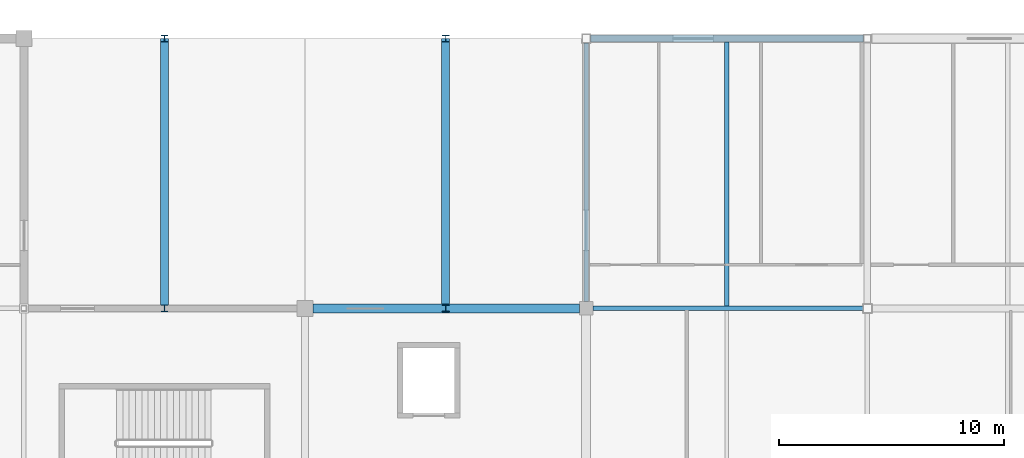
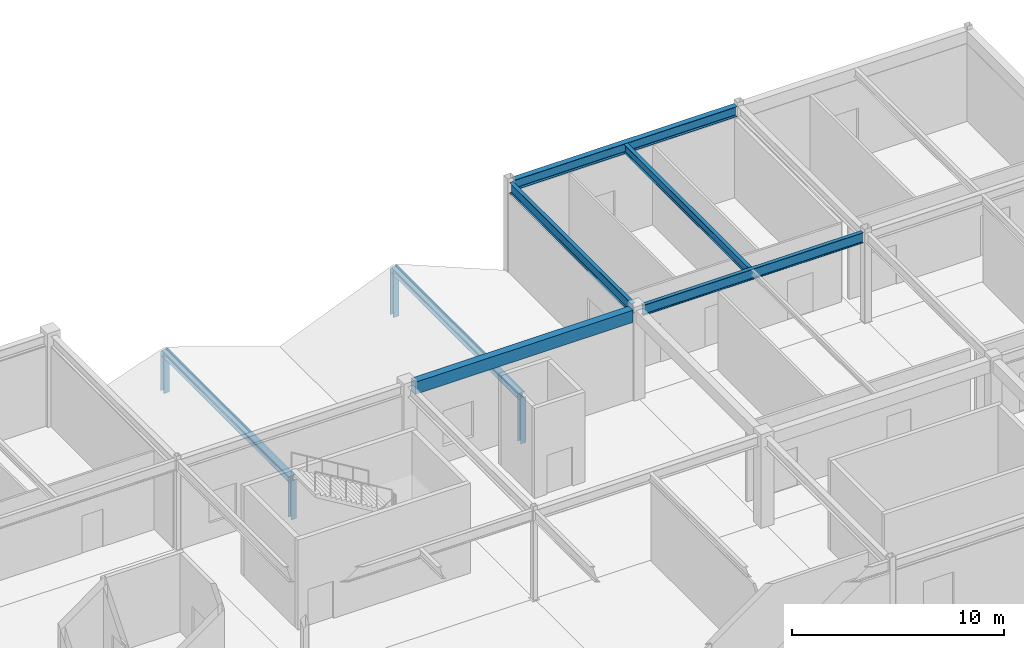
# One storey, part 56 of 105: 6 members, 5 beams.
"""IFC4 building model written with IfcOpenShell, lengths in metres."""

from ifc_helpers import new_model, si_unit, direction, frame, origin, origin_2d, place, context, subcontext, project, spatial, rectangle, i_section, extrude, material, material_profile, profile_set, type_object, element, save


model = new_model("IFC4")

# Units and contexts
model_context = context("Model", 3, precision=1e-05, world=origin(), true_north=direction((0.0, 1.0)))
body_context = subcontext(model_context, "Body", "Model", "MODEL_VIEW")
ifc_project = project(units=[si_unit("LENGTHUNIT", "METRE"), si_unit("AREAUNIT", "SQUARE_METRE"), si_unit("VOLUMEUNIT", "CUBIC_METRE"), si_unit("PLANEANGLEUNIT", "RADIAN"), si_unit("MASSUNIT", "GRAM", prefix="KILO")], contexts=[model_context])

# Site, building, storey
site_placement = place(None, origin())
site = spatial("IfcSite", under=ifc_project, at=site_placement, CompositionType="ELEMENT")
building_placement = place(site_placement, origin())
building = spatial("IfcBuilding", under=site, at=building_placement, Name="Kazenohara Klinker Stadium", CompositionType="ELEMENT")
storey_placement = place(building_placement, frame((0.0, 0.0, 20.39990234375)))
storey = spatial("IfcBuildingStorey", under=building, at=storey_placement, Name="L04", CompositionType="ELEMENT", Elevation=20.39990234375)

# Beams
ifc_material_1 = material(Name="Steel S355", Category="steel")
ifc_material_profile_1 = material_profile(ifc_material_1, i_section(OverallWidth=0.199951171875, OverallDepth=0.5, WebThickness=0.010009765625, FlangeThickness=0.01611328125, FilletRadius=0.012939453125, at=origin_2d()), Name="H-500x200x10x16")
ifc_profile_set_1 = profile_set([ifc_material_profile_1], Name="Steel S355")
beam_type_1 = type_object("IfcBeamType", Name="BM-JST01", PredefinedType="JOIST", material=ifc_profile_set_1)
beam_1_placement = place(storey_placement, frame((156.25, 156.10009765625, 4.93017578125), z_axis=(0.0, 1.0, 0.0), x_axis=(-1.0, 0.0, 0.0)))
element("IfcBeam", 1, at=beam_1_placement, inside=storey, type_object=beam_type_1, Name="Secondary floor joist SJ01 L04 13/P", PredefinedType="JOIST", context=body_context, shape_type="SweptSolid", body=[
    extrude(i_section(OverallWidth=0.199951171875, OverallDepth=0.5, WebThickness=0.010009765625, FlangeThickness=0.01611328125, FilletRadius=0.012939453125, at=origin_2d()), origin(), (0.0, 0.0, 1.0), 11.75),
])
ifc_material_2 = material(Name="Concrete C40/50", Category="concrete")
ifc_material_profile_2 = material_profile(ifc_material_2, rectangle(XDim=0.39990234375, YDim=0.699951171875, at=origin_2d()), Name="RC-BM-400x700")
ifc_profile_set_2 = profile_set([ifc_material_profile_2], Name="Concrete C40/50")
beam_type_2 = type_object("IfcBeamType", Name="BM-RC04", PredefinedType="BEAM", material=ifc_profile_set_2)
beam_2_placement = place(storey_placement, frame((137.85009765625, 156.0, 4.830078125), z_axis=(1.0, 0.0, 0.0), x_axis=(0.0, 1.0, 0.0)))
element("IfcBeam", 2, at=beam_2_placement, inside=storey, type_object=beam_type_2, Name="Primary girder BG04 L04 12-13/P", PredefinedType="BEAM", context=body_context, shape_type="SweptSolid", body=[
    extrude(rectangle(XDim=0.39990234375, YDim=0.699951171875, at=origin_2d()), origin(), (0.0, 0.0, 1.0), 11.849853515625),
])
ifc_material_profile_3 = material_profile(ifc_material_1, i_section(OverallWidth=0.199951171875, OverallDepth=0.60009765625, WebThickness=0.010986328125, FlangeThickness=0.01708984375, FilletRadius=0.012939453125, at=origin_2d()), Name="H-600x200x11x17")
ifc_profile_set_3 = profile_set([ifc_material_profile_3], Name="Steel S355")
beam_type_3 = type_object("IfcBeamType", Name="BM-ST04", PredefinedType="BEAM", material=ifc_profile_set_3)
beam_3_placement = place(storey_placement, frame((150.300048828125, 156.0, 4.880126953125), z_axis=(1.0, 0.0, 0.0), x_axis=(0.0, 1.0, 0.0)))
element("IfcBeam", 3, at=beam_3_placement, inside=storey, type_object=beam_type_3, Name="Primary girder SB04 L04 13-14/P", PredefinedType="BEAM", context=body_context, shape_type="SweptSolid", body=[
    extrude(i_section(OverallWidth=0.199951171875, OverallDepth=0.60009765625, WebThickness=0.010986328125, FlangeThickness=0.01708984375, FilletRadius=0.012939453125, at=origin_2d()), origin(), (0.0, 0.0, 1.0), 12.0),
])
beam_4_placement = place(storey_placement, frame((150.0, 156.300048828125, 4.880126953125), z_axis=(0.0, 1.0, 0.0), x_axis=(-1.0, 0.0, 0.0)))
element("IfcBeam", 4, at=beam_4_placement, inside=storey, type_object=beam_type_3, Name="Primary girder SB04 L04 13/P-Q", PredefinedType="BEAM", context=body_context, shape_type="SweptSolid", body=[
    extrude(i_section(OverallWidth=0.199951171875, OverallDepth=0.60009765625, WebThickness=0.010986328125, FlangeThickness=0.01708984375, FilletRadius=0.012939453125, at=origin_2d()), origin(), (0.0, 0.0, 1.0), 11.5),
])
ifc_material_profile_4 = material_profile(ifc_material_1, i_section(OverallWidth=0.300048828125, OverallDepth=0.587890625, WebThickness=0.011962890625, FlangeThickness=0.02001953125, FilletRadius=0.02197265625, at=origin_2d()), Name="H-588x300x12x20")
ifc_profile_set_4 = profile_set([ifc_material_profile_4], Name="Steel S355")
beam_type_4 = type_object("IfcBeamType", Name="BM-ST05", PredefinedType="BEAM", material=ifc_profile_set_4)
beam_5_placement = place(storey_placement, frame((150.199951171875, 168.0, 4.885986328125), z_axis=(1.0, 0.0, 0.0), x_axis=(0.0, 1.0, 0.0)))
element("IfcBeam", 5, at=beam_5_placement, inside=storey, type_object=beam_type_4, Name="Primary girder SB05 L04 13-14/Q", PredefinedType="BEAM", context=body_context, shape_type="SweptSolid", body=[
    extrude(i_section(OverallWidth=0.300048828125, OverallDepth=0.587890625, WebThickness=0.011962890625, FlangeThickness=0.02001953125, FilletRadius=0.02197265625, at=origin_2d()), origin(), (0.0, 0.0, 1.0), 12.125),
])

# Members
ifc_material_profile_5 = material_profile(ifc_material_1, i_section(OverallWidth=0.35009765625, OverallDepth=0.35009765625, WebThickness=0.011962890625, FlangeThickness=0.01904296875, FilletRadius=0.012939453125, at=origin_2d()), Name="H-350x350x12x19")
ifc_profile_set_5 = profile_set([ifc_material_profile_5], Name="Steel S355")
member_type_1 = type_object("IfcMemberType", Name="MEM-CHD02", PredefinedType="CHORD", material=ifc_profile_set_5)
for number, where, z_axis, x_axis, name in (
    (6, (131.25, 156.0, 1.830078125), (0.0, 1.0, 0.0), (-1.0, 0.0, 0.0), "Stepped pavilion gable ridge beam L04 11/P"),
    (7, (143.75, 156.0, 2.22998046875), (0.0, 1.0, 0.0), (-1.0, 0.0, 0.0), "Stepped pavilion gable ridge beam L04 12/P"),
):
    element("IfcMember", number, at=place(storey_placement, frame(where, z_axis=z_axis, x_axis=x_axis)), inside=storey, type_object=member_type_1, Name=name, PredefinedType="CHORD", context=body_context, shape_type="SweptSolid", body=[
        extrude(i_section(OverallWidth=0.35009765625, OverallDepth=0.35009765625, WebThickness=0.011962890625, FlangeThickness=0.01904296875, FilletRadius=0.012939453125, at=origin_2d()), origin(), (0.0, 0.0, 1.0), 12.0),
    ])
ifc_material_profile_6 = material_profile(ifc_material_1, i_section(OverallWidth=0.300048828125, OverallDepth=0.300048828125, WebThickness=0.010009765625, FlangeThickness=0.014892578125, FilletRadius=0.012939453125, at=origin_2d()), Name="H-300x300x10x15")
ifc_profile_set_6 = profile_set([ifc_material_profile_6], Name="Steel S355")
member_type_2 = type_object("IfcMemberType", Name="MEM-STR01", PredefinedType="STRUT", material=ifc_profile_set_6)
for number, where, z_axis, x_axis, name in (
    (8, (131.25, 156.0, -0.429931640625), (0.0, 0.0, 1.0), (1.0, 0.0, 0.0), "Stepped pavilion gable king-post L04 11/P S"),
    (9, (131.25, 168.0, -0.429931640625), (0.0, 0.0, 1.0), (1.0, 0.0, 0.0), "Stepped pavilion gable king-post L04 11/P N"),
):
    element("IfcMember", number, at=place(storey_placement, frame(where, z_axis=z_axis, x_axis=x_axis)), inside=storey, type_object=member_type_2, Name=name, PredefinedType="STRUT", context=body_context, shape_type="SweptSolid", body=[
        extrude(i_section(OverallWidth=0.300048828125, OverallDepth=0.300048828125, WebThickness=0.010009765625, FlangeThickness=0.014892578125, FilletRadius=0.012939453125, at=origin_2d()), origin(), (0.0, 0.0, 1.0), 2.260009765625),
    ])
for number, where, z_axis, x_axis, name in (
    (10, (143.75, 156.0, -0.429931640625), (0.0, 0.0, 1.0), (1.0, 0.0, 0.0), "Stepped pavilion gable king-post L04 12/P S"),
    (11, (143.75, 168.0, -0.429931640625), (0.0, 0.0, 1.0), (1.0, 0.0, 0.0), "Stepped pavilion gable king-post L04 12/P N"),
):
    element("IfcMember", number, at=place(storey_placement, frame(where, z_axis=z_axis, x_axis=x_axis)), inside=storey, type_object=member_type_2, Name=name, PredefinedType="STRUT", context=body_context, shape_type="SweptSolid", body=[
        extrude(i_section(OverallWidth=0.300048828125, OverallDepth=0.300048828125, WebThickness=0.010009765625, FlangeThickness=0.014892578125, FilletRadius=0.012939453125, at=origin_2d()), origin(), (0.0, 0.0, 1.0), 2.659912109375),
    ])

save(model, "model.ifc")
